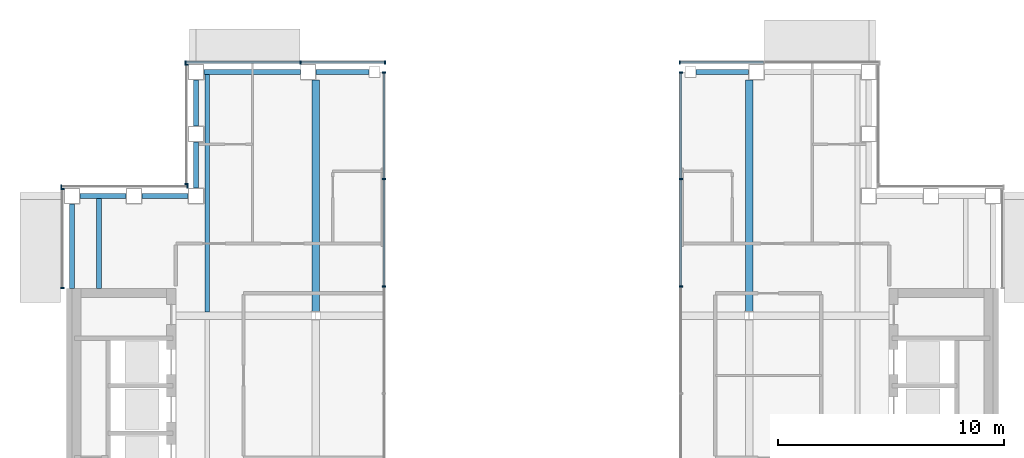
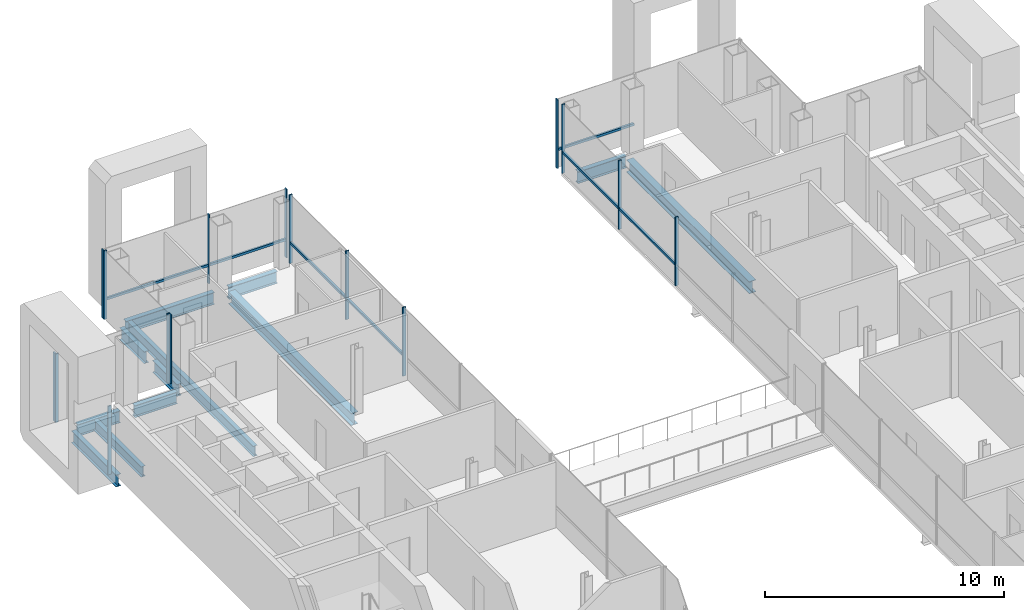
# One storey, part 7 of 17: 23 members, 12 beams, 7 elements without a shape of their own.
"""IFC4 building model written with IfcOpenShell, lengths in metres."""

from ifc_helpers import new_model, si_unit, direction, frame, origin, origin_2d, place, context, subcontext, project, spatial, rectangle, i_section, extrude, material, material_profile, profile_set, type_object, element, aggregate, save


model = new_model("IFC4")

# Units and contexts
model_context = context("Model", 3, precision=1e-05, world=origin(), true_north=direction((0.0, 1.0)))
body_context = subcontext(model_context, "Body", "Model", "MODEL_VIEW")
ifc_project = project(units=[si_unit("LENGTHUNIT", "METRE"), si_unit("AREAUNIT", "SQUARE_METRE"), si_unit("VOLUMEUNIT", "CUBIC_METRE"), si_unit("PLANEANGLEUNIT", "RADIAN"), si_unit("MASSUNIT", "GRAM", prefix="KILO")], contexts=[model_context])

# Site, building, storey
site_placement = place(None, origin())
site = spatial("IfcSite", under=ifc_project, at=site_placement, CompositionType="ELEMENT")
building_placement = place(site_placement, origin())
building = spatial("IfcBuilding", under=site, at=building_placement, Name="Cobrizo Arcos Hotel Tower", CompositionType="ELEMENT")
storey_placement = place(building_placement, frame((0.0, 0.0, 226.0)))
storey = spatial("IfcBuildingStorey", under=building, at=storey_placement, Name="L59", CompositionType="ELEMENT", Elevation=226.0)

# Curtain wall, member
ifc_material_1 = material(Name="Aluminium 6063-T6 anodised bronze", Category="aluminium")
curtain_wall_type_1 = type_object("IfcCurtainWallType", Name="CW-A guest facade", PredefinedType="NOTDEFINED", material=ifc_material_1)
curtain_wall_1_placement = place(storey_placement, origin())
curtain_wall_1 = element("IfcCurtainWall", 1, at=curtain_wall_1_placement, inside=storey, type_object=curtain_wall_type_1, Name="CW-A L59 N face", PredefinedType="NOTDEFINED")
ifc_material_profile_1 = material_profile(ifc_material_1, rectangle(XDim=0.14990234375, YDim=0.06005859375, at=origin_2d()), Name="CW-A mullion 150x60")
ifc_profile_set_1 = profile_set([ifc_material_profile_1], Name="Aluminium 6063-T6 anodised bronze")
member_type_1 = type_object("IfcMemberType", Name="CW-A mullion 150x60", PredefinedType="MULLION", material=ifc_profile_set_1)
member_1_placement = place(storey_placement, frame((6.530029296875, 20.824951171875, 0.0), z_axis=(0.0, 0.0, 1.0), x_axis=(0.0, 1.0, 0.0)))
member_1 = element("IfcMember", 2, at=member_1_placement, type_object=member_type_1, Name="CW-A mullion 3", PredefinedType="MULLION", context=body_context, shape_type="SweptSolid", body=[
    extrude(rectangle(XDim=0.14990234375, YDim=0.06005859375, at=origin_2d()), origin(), (0.0, 0.0, 1.0), 3.5),
])

# Curtain wall, members
curtain_wall_2_placement = place(storey_placement, origin())
curtain_wall_2 = element("IfcCurtainWall", 3, at=curtain_wall_2_placement, inside=storey, type_object=curtain_wall_type_1, Name="CW-A L59 N face", PredefinedType="NOTDEFINED")
member_2_placement = place(storey_placement, frame((-6.530029296875, 20.824951171875, 0.0), z_axis=(0.0, 0.0, 1.0), x_axis=(0.0, 1.0, 0.0)))
member_2 = element("IfcMember", 4, at=member_2_placement, type_object=member_type_1, Name="CW-A mullion 1", PredefinedType="MULLION", context=body_context, shape_type="SweptSolid", body=[
    extrude(rectangle(XDim=0.14990234375, YDim=0.06005859375, at=origin_2d()), origin(), (0.0, 0.0, 1.0), 3.5),
])
member_3_placement = place(storey_placement, frame((-10.2666015625, 20.824951171875, 0.0), z_axis=(0.0, 0.0, 1.0), x_axis=(0.0, 1.0, 0.0)))
member_3 = element("IfcMember", 5, at=member_3_placement, type_object=member_type_1, Name="CW-A mullion 2", PredefinedType="MULLION", context=body_context, shape_type="SweptSolid", body=[
    extrude(rectangle(XDim=0.14990234375, YDim=0.06005859375, at=origin_2d()), origin(), (0.0, 0.0, 1.0), 3.5),
])
member_4_placement = place(storey_placement, frame((-15.3701171875, 20.824951171875, 0.0), z_axis=(0.0, 0.0, 1.0), x_axis=(0.0, 1.0, 0.0)))
member_4 = element("IfcMember", 6, at=member_4_placement, type_object=member_type_1, Name="CW-A mullion 3", PredefinedType="MULLION", context=body_context, shape_type="SweptSolid", body=[
    extrude(rectangle(XDim=0.14990234375, YDim=0.06005859375, at=origin_2d()), origin(), (0.0, 0.0, 1.0), 3.5),
])

curtain_wall_3_placement = place(storey_placement, origin())
curtain_wall_3 = element("IfcCurtainWall", 7, at=curtain_wall_3_placement, inside=storey, type_object=curtain_wall_type_1, Name="CW-A L59 W face", PredefinedType="NOTDEFINED")
member_5_placement = place(storey_placement, frame((-15.324951171875, 20.719970703125, 0.0), z_axis=(0.0, 0.0, 1.0), x_axis=(-1.0, 0.0, 0.0)))
member_5 = element("IfcMember", 8, at=member_5_placement, type_object=member_type_1, Name="CW-A mullion 1", PredefinedType="MULLION", context=body_context, shape_type="SweptSolid", body=[
    extrude(rectangle(XDim=0.14990234375, YDim=0.06005859375, at=origin_2d()), origin(), (0.0, 0.0, 1.0), 3.5),
])
member_6_placement = place(storey_placement, frame((-15.324951171875, 15.429931640625, 0.0), z_axis=(0.0, 0.0, 1.0), x_axis=(-1.0, 0.0, 0.0)))
member_6 = element("IfcMember", 9, at=member_6_placement, type_object=member_type_1, Name="CW-A mullion 2", PredefinedType="MULLION", context=body_context, shape_type="SweptSolid", body=[
    extrude(rectangle(XDim=0.14990234375, YDim=0.06005859375, at=origin_2d()), origin(), (0.0, 0.0, 1.0), 3.5),
])
aggregate(curtain_wall_3, [member_5, member_6])

curtain_wall_4_placement = place(storey_placement, origin())
curtain_wall_4 = element("IfcCurtainWall", 10, at=curtain_wall_4_placement, inside=storey, type_object=curtain_wall_type_1, Name="CW-A L59 N face", PredefinedType="NOTDEFINED")
member_7_placement = place(storey_placement, frame((-15.280029296875, 15.324951171875, 0.0), z_axis=(0.0, 0.0, 1.0), x_axis=(0.0, 1.0, 0.0)))
member_7 = element("IfcMember", 11, at=member_7_placement, type_object=member_type_1, Name="CW-A mullion 1", PredefinedType="MULLION", context=body_context, shape_type="SweptSolid", body=[
    extrude(rectangle(XDim=0.14990234375, YDim=0.06005859375, at=origin_2d()), origin(), (0.0, 0.0, 1.0), 3.5),
])
member_8_placement = place(storey_placement, frame((-20.8701171875, 15.324951171875, 0.0), z_axis=(0.0, 0.0, 1.0), x_axis=(0.0, 1.0, 0.0)))
member_8 = element("IfcMember", 12, at=member_8_placement, type_object=member_type_1, Name="CW-A mullion 2", PredefinedType="MULLION", context=body_context, shape_type="SweptSolid", body=[
    extrude(rectangle(XDim=0.14990234375, YDim=0.06005859375, at=origin_2d()), origin(), (0.0, 0.0, 1.0), 3.5),
])
aggregate(curtain_wall_4, [member_7, member_8])

curtain_wall_5_placement = place(storey_placement, origin())
curtain_wall_5 = element("IfcCurtainWall", 13, at=curtain_wall_5_placement, inside=storey, type_object=curtain_wall_type_1, Name="CW-A L59 W face", PredefinedType="NOTDEFINED")
member_9_placement = place(storey_placement, frame((-20.824951171875, 15.219970703125, 0.0), z_axis=(0.0, 0.0, 1.0), x_axis=(-1.0, 0.0, 0.0)))
member_9 = element("IfcMember", 14, at=member_9_placement, type_object=member_type_1, Name="CW-A mullion 1", PredefinedType="MULLION", context=body_context, shape_type="SweptSolid", body=[
    extrude(rectangle(XDim=0.14990234375, YDim=0.06005859375, at=origin_2d()), origin(), (0.0, 0.0, 1.0), 3.5),
])
member_10_placement = place(storey_placement, frame((-20.824951171875, 10.830078125, 0.0), z_axis=(0.0, 0.0, 1.0), x_axis=(-1.0, 0.0, 0.0)))
member_10 = element("IfcMember", 15, at=member_10_placement, type_object=member_type_1, Name="CW-A mullion 2", PredefinedType="MULLION", context=body_context, shape_type="SweptSolid", body=[
    extrude(rectangle(XDim=0.14990234375, YDim=0.06005859375, at=origin_2d()), origin(), (0.0, 0.0, 1.0), 3.5),
])
aggregate(curtain_wall_5, [member_9, member_10])

# Member
ifc_material_profile_2 = material_profile(ifc_material_1, rectangle(XDim=0.10009765625, YDim=0.1201171875, at=origin_2d()), Name="CW-A transom 120x100")
ifc_profile_set_2 = profile_set([ifc_material_profile_2], Name="Aluminium 6063-T6 anodised bronze")
member_type_2 = type_object("IfcMemberType", Name="CW-A transom 120x100", PredefinedType="USERDEFINED", material=ifc_profile_set_2)
member_11_placement = place(storey_placement, frame((10.236572265625, 20.824951171875, 0.929931640625), z_axis=(-1.0, 0.0, 0.0), x_axis=(0.0, -1.0, 0.0)))
member_11 = element("IfcMember", 16, at=member_11_placement, type_object=member_type_2, Name="CW-A transom 1939", ObjectType="TRANSOM", PredefinedType="USERDEFINED", context=body_context, shape_type="SweptSolid", body=[
    extrude(rectangle(XDim=0.10009765625, YDim=0.1201171875, at=origin_2d()), origin(), (0.0, 0.0, 1.0), 3.676513671875),
])

aggregate(curtain_wall_1, [member_1, member_11])

member_12_placement = place(storey_placement, frame((-6.56005859375, 20.824951171875, 0.929931640625), z_axis=(-1.0, 0.0, 0.0), x_axis=(0.0, -1.0, 0.0)))
member_12 = element("IfcMember", 17, at=member_12_placement, type_object=member_type_2, Name="CW-A transom 1940", ObjectType="TRANSOM", PredefinedType="USERDEFINED", context=body_context, shape_type="SweptSolid", body=[
    extrude(rectangle(XDim=0.10009765625, YDim=0.1201171875, at=origin_2d()), origin(), (0.0, 0.0, 1.0), 3.676513671875),
])

member_13_placement = place(storey_placement, frame((-10.296630859375, 20.824951171875, 0.929931640625), z_axis=(-1.0, 0.0, 0.0), x_axis=(0.0, -1.0, 0.0)))
member_13 = element("IfcMember", 18, at=member_13_placement, type_object=member_type_2, Name="CW-A transom 1941", ObjectType="TRANSOM", PredefinedType="USERDEFINED", context=body_context, shape_type="SweptSolid", body=[
    extrude(rectangle(XDim=0.10009765625, YDim=0.1201171875, at=origin_2d()), origin(), (0.0, 0.0, 1.0), 5.04345703125),
])

aggregate(curtain_wall_2, [member_2, member_3, member_4, member_12, member_13])

# Curtain wall, members
curtain_wall_type_2 = type_object("IfcCurtainWallType", Name="CW-F void screen", PredefinedType="NOTDEFINED", material=ifc_material_1)
curtain_wall_6_placement = place(storey_placement, origin())
curtain_wall_6 = element("IfcCurtainWall", 19, at=curtain_wall_6_placement, inside=storey, type_object=curtain_wall_type_2, Name="CW-F L59 void screen C", PredefinedType="NOTDEFINED")
ifc_material_profile_3 = material_profile(ifc_material_1, rectangle(XDim=0.14990234375, YDim=0.06005859375, at=origin_2d()), Name="CW-F mullion 150x60")
ifc_profile_set_3 = profile_set([ifc_material_profile_3], Name="Aluminium 6063-T6 anodised bronze")
member_type_3 = type_object("IfcMemberType", Name="CW-F mullion 150x60", PredefinedType="MULLION", material=ifc_profile_set_3)
member_14_placement = place(storey_placement, frame((6.574951171875, 10.89990234375, 0.0), z_axis=(0.0, 0.0, 1.0), x_axis=(1.0, 0.0, 0.0)))
member_14 = element("IfcMember", 20, at=member_14_placement, type_object=member_type_3, Name="CW-F mullion 3", PredefinedType="MULLION", context=body_context, shape_type="SweptSolid", body=[
    extrude(rectangle(XDim=0.14990234375, YDim=0.06005859375, at=origin_2d()), origin(), (0.0, 0.0, 1.0), 3.5),
])
member_15_placement = place(storey_placement, frame((6.574951171875, 15.64990234375, 0.0), z_axis=(0.0, 0.0, 1.0), x_axis=(1.0, 0.0, 0.0)))
member_15 = element("IfcMember", 21, at=member_15_placement, type_object=member_type_3, Name="CW-F mullion 4", PredefinedType="MULLION", context=body_context, shape_type="SweptSolid", body=[
    extrude(rectangle(XDim=0.14990234375, YDim=0.06005859375, at=origin_2d()), origin(), (0.0, 0.0, 1.0), 3.5),
])
member_16_placement = place(storey_placement, frame((6.574951171875, 20.3701171875, 0.0), z_axis=(0.0, 0.0, 1.0), x_axis=(1.0, 0.0, 0.0)))
member_16 = element("IfcMember", 22, at=member_16_placement, type_object=member_type_3, Name="CW-F mullion 5", PredefinedType="MULLION", context=body_context, shape_type="SweptSolid", body=[
    extrude(rectangle(XDim=0.14990234375, YDim=0.06005859375, at=origin_2d()), origin(), (0.0, 0.0, 1.0), 3.5),
])

curtain_wall_7_placement = place(storey_placement, origin())
curtain_wall_7 = element("IfcCurtainWall", 23, at=curtain_wall_7_placement, inside=storey, type_object=curtain_wall_type_2, Name="CW-F L59 void screen C", PredefinedType="NOTDEFINED")
member_17_placement = place(storey_placement, frame((-6.574951171875, 20.3701171875, 0.0), z_axis=(0.0, 0.0, 1.0), x_axis=(-1.0, 0.0, 0.0)))
member_17 = element("IfcMember", 24, at=member_17_placement, type_object=member_type_3, Name="CW-F mullion 1", PredefinedType="MULLION", context=body_context, shape_type="SweptSolid", body=[
    extrude(rectangle(XDim=0.14990234375, YDim=0.06005859375, at=origin_2d()), origin(), (0.0, 0.0, 1.0), 3.5),
])
member_18_placement = place(storey_placement, frame((-6.574951171875, 15.64990234375, 0.0), z_axis=(0.0, 0.0, 1.0), x_axis=(-1.0, 0.0, 0.0)))
member_18 = element("IfcMember", 25, at=member_18_placement, type_object=member_type_3, Name="CW-F mullion 2", PredefinedType="MULLION", context=body_context, shape_type="SweptSolid", body=[
    extrude(rectangle(XDim=0.14990234375, YDim=0.06005859375, at=origin_2d()), origin(), (0.0, 0.0, 1.0), 3.5),
])
member_19_placement = place(storey_placement, frame((-6.574951171875, 10.89990234375, 0.0), z_axis=(0.0, 0.0, 1.0), x_axis=(-1.0, 0.0, 0.0)))
member_19 = element("IfcMember", 26, at=member_19_placement, type_object=member_type_3, Name="CW-F mullion 3", PredefinedType="MULLION", context=body_context, shape_type="SweptSolid", body=[
    extrude(rectangle(XDim=0.14990234375, YDim=0.06005859375, at=origin_2d()), origin(), (0.0, 0.0, 1.0), 3.5),
])

# Member
ifc_material_profile_4 = material_profile(ifc_material_1, rectangle(XDim=0.10009765625, YDim=0.1201171875, at=origin_2d()), Name="CW-F transom 120x100")
ifc_profile_set_4 = profile_set([ifc_material_profile_4], Name="Aluminium 6063-T6 anodised bronze")
member_type_4 = type_object("IfcMemberType", Name="CW-F transom 120x100", PredefinedType="USERDEFINED", material=ifc_profile_set_4)
member_20_placement = place(storey_placement, frame((6.574951171875, 10.929931640625, 1.050048828125), z_axis=(0.0, 1.0, 0.0), x_axis=(-1.0, 0.0, 0.0)))
member_20 = element("IfcMember", 27, at=member_20_placement, type_object=member_type_4, Name="CW-F transom 2722", ObjectType="TRANSOM", PredefinedType="USERDEFINED", context=body_context, shape_type="SweptSolid", body=[
    extrude(rectangle(XDim=0.10009765625, YDim=0.1201171875, at=origin_2d()), origin(), (0.0, 0.0, 1.0), 4.690185546875),
])

member_21_placement = place(storey_placement, frame((6.574951171875, 15.679931640625, 1.050048828125), z_axis=(0.0, 1.0, 0.0), x_axis=(-1.0, 0.0, 0.0)))
member_21 = element("IfcMember", 28, at=member_21_placement, type_object=member_type_4, Name="CW-F transom 2723", ObjectType="TRANSOM", PredefinedType="USERDEFINED", context=body_context, shape_type="SweptSolid", body=[
    extrude(rectangle(XDim=0.10009765625, YDim=0.1201171875, at=origin_2d()), origin(), (0.0, 0.0, 1.0), 4.66015625),
])

aggregate(curtain_wall_6, [member_14, member_15, member_16, member_20, member_21])

member_22_placement = place(storey_placement, frame((-6.574951171875, 20.340087890625, 1.050048828125), z_axis=(0.0, -1.0, 0.0), x_axis=(1.0, 0.0, 0.0)))
member_22 = element("IfcMember", 29, at=member_22_placement, type_object=member_type_4, Name="CW-F transom 2724", ObjectType="TRANSOM", PredefinedType="USERDEFINED", context=body_context, shape_type="SweptSolid", body=[
    extrude(rectangle(XDim=0.10009765625, YDim=0.1201171875, at=origin_2d()), origin(), (0.0, 0.0, 1.0), 4.66015625),
])

member_23_placement = place(storey_placement, frame((-6.574951171875, 15.6201171875, 1.050048828125), z_axis=(0.0, -1.0, 0.0), x_axis=(1.0, 0.0, 0.0)))
member_23 = element("IfcMember", 30, at=member_23_placement, type_object=member_type_4, Name="CW-F transom 2725", ObjectType="TRANSOM", PredefinedType="USERDEFINED", context=body_context, shape_type="SweptSolid", body=[
    extrude(rectangle(XDim=0.10009765625, YDim=0.1201171875, at=origin_2d()), origin(), (0.0, 0.0, 1.0), 4.690185546875),
])

aggregate(curtain_wall_7, [member_17, member_18, member_19, member_22, member_23])

# Beams
ifc_material_2 = material(Name="Steel ASTM A992 Grade 50", Category="steel")
ifc_material_profile_5 = material_profile(ifc_material_2, i_section(OverallWidth=0.209228515625, OverallDepth=0.533447265625, WebThickness=0.01025390625, FlangeThickness=0.015625, at=origin_2d()), Name="W21X62")
ifc_profile_set_5 = profile_set([ifc_material_profile_5], Name="Steel ASTM A992 Grade 50")
beam_type_1 = type_object("IfcBeamType", Name="W21X62 joist", PredefinedType="JOIST", material=ifc_profile_set_5)
beam_1_placement = place(storey_placement, frame((-19.199951171875, 10.81005859375, -0.416748046875), z_axis=(0.0, 1.0, 0.0), x_axis=(-1.0, 0.0, 0.0)))
element("IfcBeam", 31, at=beam_1_placement, inside=storey, type_object=beam_type_1, Name="Floor joist J1, L59, no. 002", PredefinedType="JOIST", context=body_context, shape_type="SweptSolid", body=[
    extrude(i_section(OverallWidth=0.209228515625, OverallDepth=0.533447265625, WebThickness=0.01025390625, FlangeThickness=0.015625, at=origin_2d()), origin(), (0.0, 0.0, 1.0), 4.0),
])
beam_2_placement = place(storey_placement, frame((-14.39990234375, 9.763916015625, -0.416748046875), z_axis=(0.0, 1.0, 0.0), x_axis=(-1.0, 0.0, 0.0)))
element("IfcBeam", 32, at=beam_2_placement, inside=storey, type_object=beam_type_1, Name="Floor joist J1, L59, no. 006", PredefinedType="JOIST", context=body_context, shape_type="SweptSolid", body=[
    extrude(i_section(OverallWidth=0.209228515625, OverallDepth=0.533447265625, WebThickness=0.01025390625, FlangeThickness=0.015625, at=origin_2d()), origin(), (0.0, 0.0, 1.0), 10.546142578125),
])
ifc_material_profile_6 = material_profile(ifc_material_2, i_section(OverallWidth=0.32763671875, OverallDepth=0.622314453125, WebThickness=0.015380859375, FlangeThickness=0.0244140625, at=origin_2d()), Name="W24X131")
ifc_profile_set_6 = profile_set([ifc_material_profile_6], Name="Steel ASTM A992 Grade 50")
beam_type_2 = type_object("IfcBeamType", Name="W24X131 girder", PredefinedType="BEAM", material=ifc_profile_set_6)
for number, where, z_axis, x_axis, name in (
    (33, (-9.60009765625, 9.78662109375, -0.461181640625), (0.0, 1.0, 0.0), (-1.0, 0.0, 0.0), "Floor girder G1, L59, no. 015"),
    (34, (9.60009765625, 9.78662109375, -0.461181640625), (0.0, 1.0, 0.0), (-1.0, 0.0, 0.0), "Floor girder G1, L59, no. 019"),
):
    element("IfcBeam", number, at=place(storey_placement, frame(where, z_axis=z_axis, x_axis=x_axis)), inside=storey, type_object=beam_type_2, Name=name, PredefinedType="BEAM", context=body_context, shape_type="SweptSolid", body=[
        extrude(i_section(OverallWidth=0.32763671875, OverallDepth=0.622314453125, WebThickness=0.015380859375, FlangeThickness=0.0244140625, at=origin_2d()), origin(), (0.0, 0.0, 1.0), 10.263427734375),
    ])
ifc_material_profile_7 = material_profile(ifc_material_2, i_section(OverallWidth=0.228271484375, OverallDepth=0.607177734375, WebThickness=0.01123046875, FlangeThickness=0.017333984375, at=origin_2d()), Name="W24X76")
ifc_profile_set_7 = profile_set([ifc_material_profile_7], Name="Steel ASTM A992 Grade 50")
beam_type_3 = type_object("IfcBeamType", Name="W24X76 spandrel", PredefinedType="SPANDREL", material=ifc_profile_set_7)
beam_3_placement = place(storey_placement, frame((-20.39990234375, 10.81005859375, -0.45361328125), z_axis=(0.0, 1.0, 0.0), x_axis=(-1.0, 0.0, 0.0)))
element("IfcBeam", 35, at=beam_3_placement, inside=storey, type_object=beam_type_3, Name="Spandrel beam W24X76, L59, no. 018", PredefinedType="SPANDREL", context=body_context, shape_type="SweptSolid", body=[
    extrude(i_section(OverallWidth=0.228271484375, OverallDepth=0.607177734375, WebThickness=0.01123046875, FlangeThickness=0.017333984375, at=origin_2d()), origin(), (0.0, 0.0, 1.0), 3.739990234375),
])
for number, where, z_axis, x_axis, name in (
    (36, (-20.050048828125, 14.89990234375, -0.45361328125), (1.0, 0.0, 0.0), (0.0, 1.0, 0.0), "Spandrel beam W24X76, L59, no. 019"),
    (37, (-17.300048828125, 14.89990234375, -0.45361328125), (1.0, 0.0, 0.0), (0.0, 1.0, 0.0), "Spandrel beam W24X76, L59, no. 020"),
    (38, (-14.89990234375, 15.25, -0.45361328125), (0.0, 1.0, 0.0), (-1.0, 0.0, 0.0), "Spandrel beam W24X76, L59, no. 021"),
    (39, (-14.89990234375, 18.0, -0.45361328125), (0.0, 1.0, 0.0), (-1.0, 0.0, 0.0), "Spandrel beam W24X76, L59, no. 022"),
):
    element("IfcBeam", number, at=place(storey_placement, frame(where, z_axis=z_axis, x_axis=x_axis)), inside=storey, type_object=beam_type_3, Name=name, PredefinedType="SPANDREL", context=body_context, shape_type="SweptSolid", body=[
        extrude(i_section(OverallWidth=0.228271484375, OverallDepth=0.607177734375, WebThickness=0.01123046875, FlangeThickness=0.017333984375, at=origin_2d()), origin(), (0.0, 0.0, 1.0), 2.050048828125),
    ])
beam_4_placement = place(storey_placement, frame((-14.550048828125, 20.39990234375, -0.45361328125), z_axis=(1.0, 0.0, 0.0), x_axis=(0.0, 1.0, 0.0)))
element("IfcBeam", 40, at=beam_4_placement, inside=storey, type_object=beam_type_3, Name="Spandrel beam W24X76, L59, no. 023", PredefinedType="SPANDREL", context=body_context, shape_type="SweptSolid", body=[
    extrude(i_section(OverallWidth=0.228271484375, OverallDepth=0.607177734375, WebThickness=0.01123046875, FlangeThickness=0.017333984375, at=origin_2d()), origin(), (0.0, 0.0, 1.0), 4.26708984375),
])
for number, where, z_axis, x_axis, name in (
    (41, (-9.5830078125, 20.39990234375, -0.45361328125), (1.0, 0.0, 0.0), (0.0, 1.0, 0.0), "Spandrel beam W24X76, L59, no. 024"),
    (42, (7.25, 20.39990234375, -0.45361328125), (1.0, 0.0, 0.0), (0.0, 1.0, 0.0), "Spandrel beam W24X76, L59, no. 025"),
):
    element("IfcBeam", number, at=place(storey_placement, frame(where, z_axis=z_axis, x_axis=x_axis)), inside=storey, type_object=beam_type_3, Name=name, PredefinedType="SPANDREL", context=body_context, shape_type="SweptSolid", body=[
        extrude(i_section(OverallWidth=0.228271484375, OverallDepth=0.607177734375, WebThickness=0.01123046875, FlangeThickness=0.017333984375, at=origin_2d()), origin(), (0.0, 0.0, 1.0), 2.3330078125),
    ])

save(model, "model.ifc")
